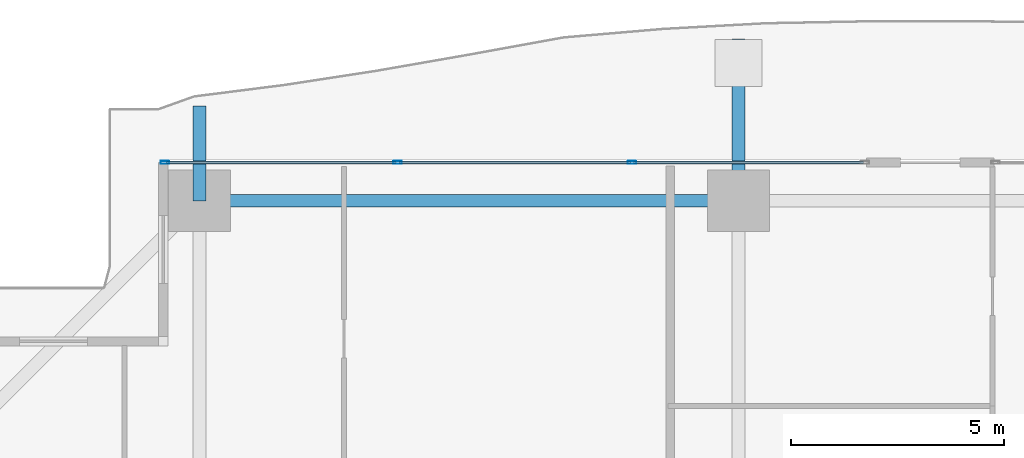
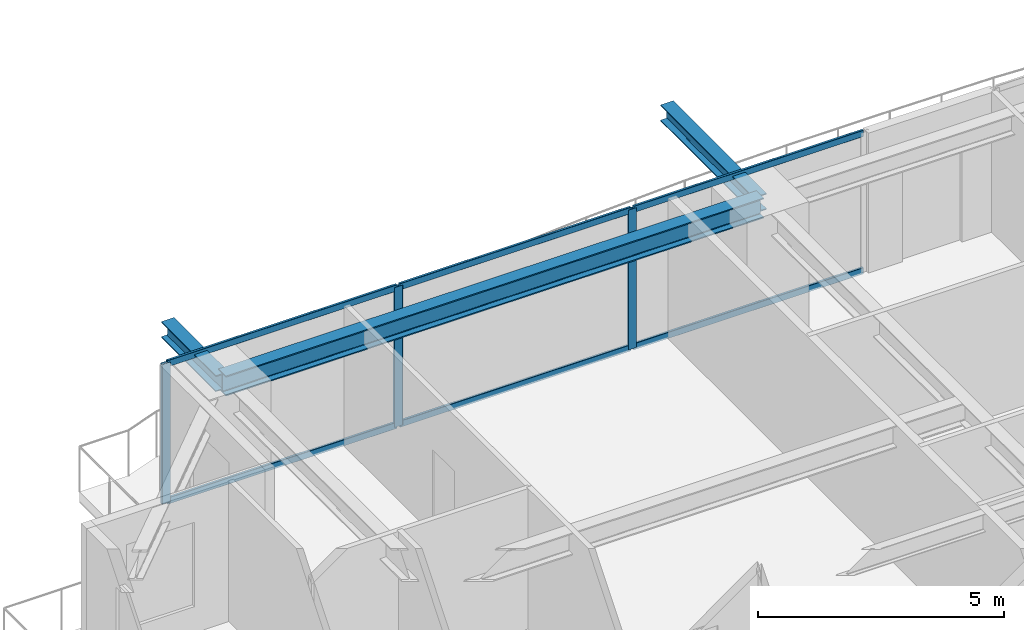
# One storey, part 20 of 37: 9 members, 3 beams, 1 element without a shape of its own.
"""IFC4 building model written with IfcOpenShell, lengths in metres."""

from ifc_helpers import new_model, si_unit, direction, frame, origin, origin_2d, place, context, subcontext, project, spatial, hollow_rectangle, i_section, extrude, source, transform, mapped, material, layer, layer_set, material_profile, profile_set, type_object, element, aggregate, save


model = new_model("IFC4")

# Units and contexts
model_context = context("Model", 3, precision=1e-05, world=origin(), true_north=direction((0.0, 1.0)))
body_context = subcontext(model_context, "Body", "Model", "MODEL_VIEW")
ifc_project = project(units=[si_unit("LENGTHUNIT", "METRE"), si_unit("AREAUNIT", "SQUARE_METRE"), si_unit("VOLUMEUNIT", "CUBIC_METRE"), si_unit("PLANEANGLEUNIT", "RADIAN"), si_unit("MASSUNIT", "GRAM", prefix="KILO")], contexts=[model_context])

# Site, building, storey
site_placement = place(None, origin())
site = spatial("IfcSite", under=ifc_project, at=site_placement, CompositionType="ELEMENT")
building_placement = place(site_placement, origin())
building = spatial("IfcBuilding", under=site, at=building_placement, Name="Serunith Strait Residences", CompositionType="ELEMENT")
storey_placement = place(building_placement, frame((0.0, 0.0, 26.699951171875)))
storey = spatial("IfcBuildingStorey", under=building, at=storey_placement, Name="L05", CompositionType="ELEMENT", Elevation=26.699951171875)

# Beams
ifc_material_1 = material(Name="Steel S355J2", Category="steel")
ifc_material_profile_1 = material_profile(ifc_material_1, i_section(OverallWidth=0.300048828125, OverallDepth=0.5, WebThickness=0.014404296875, FlangeThickness=0.028076171875, FilletRadius=0.027099609375, at=origin_2d()), Name="HEB 500")
ifc_profile_set_1 = profile_set([ifc_material_profile_1], Name="Steel S355J2")
beam_type_1 = type_object("IfcBeamType", Name="BM-HEB500", PredefinedType="BEAM", material=ifc_profile_set_1)
shared_shape_1 = source(origin(), body_context, "Body", "SweptSolid", [
    extrude(i_section(OverallWidth=0.300048828125, OverallDepth=0.5, WebThickness=0.014404296875, FlangeThickness=0.028076171875, FilletRadius=0.027099609375, at=origin_2d()), origin(), (0.0, 0.0, 1.0), 12.64990234375),
])
beam_1_placement = place(storey_placement, frame((27.89990234375, 49.300048828125, 3.237060546875), z_axis=(-1.0, 0.0, 0.0), x_axis=(0.0, -1.0, 0.0)))
element("IfcBeam", 1, at=beam_1_placement, inside=storey, type_object=beam_type_1, Name="L05 Perimeter Ring Beam 11", PredefinedType="BEAM", context=body_context, shape_type="MappedRepresentation", body=[
    mapped(shared_shape_1, transform((0.0, 0.0, 0.0), scale=1.0)),
])
ifc_material_profile_2 = material_profile(ifc_material_1, i_section(OverallWidth=0.300048828125, OverallDepth=0.39990234375, WebThickness=0.013427734375, FlangeThickness=0.02392578125, FilletRadius=0.027099609375, at=origin_2d()), Name="HEB 400")
ifc_profile_set_2 = profile_set([ifc_material_profile_2], Name="Steel S355J2")
beam_type_2 = type_object("IfcBeamType", Name="BM-HEB400", PredefinedType="BEAM", material=ifc_profile_set_2)
shared_shape_2 = source(origin(), body_context, "Body", "SweptSolid", [
    extrude(i_section(OverallWidth=0.300048828125, OverallDepth=0.39990234375, WebThickness=0.013427734375, FlangeThickness=0.02392578125, FilletRadius=0.027099609375, at=origin_2d()), origin(), (0.0, 0.0, 1.0), 2.22216796875),
])
beam_2_placement = place(storey_placement, frame((15.25, 49.300048828125, 3.257080078125), z_axis=(0.0, 1.0, 0.0), x_axis=(-1.0, 0.0, 0.0)))
element("IfcBeam", 2, at=beam_2_placement, inside=storey, type_object=beam_type_2, Name="L06 Cantilevered Balcony Rib TC-N1", PredefinedType="BEAM", context=body_context, shape_type="MappedRepresentation", body=[
    mapped(shared_shape_2, transform((0.0, 0.0, 0.0), scale=1.0)),
])
shared_shape_3 = source(origin(), body_context, "Body", "SweptSolid", [
    extrude(i_section(OverallWidth=0.300048828125, OverallDepth=0.39990234375, WebThickness=0.013427734375, FlangeThickness=0.02392578125, FilletRadius=0.027099609375, at=origin_2d()), origin(), (0.0, 0.0, 1.0), 3.800048828125),
])
beam_3_placement = place(storey_placement, frame((27.89990234375, 49.300048828125, 3.257080078125), z_axis=(0.0, 1.0, 0.0), x_axis=(-1.0, 0.0, 0.0)))
element("IfcBeam", 3, at=beam_3_placement, inside=storey, type_object=beam_type_2, Name="L06 Cantilevered Balcony Rib TC-N2", PredefinedType="BEAM", context=body_context, shape_type="MappedRepresentation", body=[
    mapped(shared_shape_3, transform((0.0, 0.0, 0.0), scale=1.0)),
])

# Curtain wall, members
ifc_material_2 = material(Name="Pale-Champagne Anodised Aluminium", Category="aluminium")
ifc_layer = layer(ifc_material_2, 0.199951171875, Name="Pale-Champagne Anodised Aluminium")
ifc_layer_set = layer_set([ifc_layer], Name="Pale-Champagne Anodised Aluminium")
curtain_wall_type = type_object("IfcCurtainWallType", Name="CW-SYS1", PredefinedType="NOTDEFINED", material=ifc_layer_set)
curtain_wall_placement = place(storey_placement, origin())
curtain_wall = element("IfcCurtainWall", 4, at=curtain_wall_placement, inside=storey, type_object=curtain_wall_type, Name="L05 N Unitised Fritted Curtain Wall", PredefinedType="NOTDEFINED")
ifc_material_profile_3 = material_profile(ifc_material_2, hollow_rectangle(XDim=0.070068359375, YDim=0.199951171875, WallThickness=0.00390625, InnerFilletRadius=0.006103515625, OuterFilletRadius=0.010009765625, at=origin_2d()), Name="ALU 200x70x4")
ifc_profile_set_3 = profile_set([ifc_material_profile_3], Name="Pale-Champagne Anodised Aluminium")
member_type_1 = type_object("IfcMemberType", Name="CW-SYS1-MULL", PredefinedType="MULLION", material=ifc_profile_set_3)
shared_shape_4 = source(origin(), body_context, "Body", "SweptSolid", [
    extrude(hollow_rectangle(XDim=0.070068359375, YDim=0.199951171875, WallThickness=0.00390625, InnerFilletRadius=0.006103515625, OuterFilletRadius=0.010009765625, at=origin_2d()), origin(), (0.0, 0.0, 1.0), 3.47509765625),
])
member_1_placement = place(storey_placement, frame((25.39990234375, 50.199951171875, 0.0), z_axis=(0.0, 0.0, 1.0), x_axis=(0.0, -1.0, 0.0)))
member_1 = element("IfcMember", 5, at=member_1_placement, type_object=member_type_1, Name="CW-1 mullion 2", PredefinedType="MULLION", context=body_context, shape_type="MappedRepresentation", body=[
    mapped(shared_shape_4, transform((0.0, 0.0, 0.0), scale=1.0)),
])
member_2_placement = place(storey_placement, frame((19.89990234375, 50.199951171875, 0.0), z_axis=(0.0, 0.0, 1.0), x_axis=(0.0, -1.0, 0.0)))
member_2 = element("IfcMember", 6, at=member_2_placement, type_object=member_type_1, Name="CW-1 mullion 3", PredefinedType="MULLION", context=body_context, shape_type="MappedRepresentation", body=[
    mapped(shared_shape_4, transform((0.0, 0.0, 0.0), scale=1.0)),
])
member_3_placement = place(storey_placement, frame((14.43505859375, 50.199951171875, 0.0), z_axis=(0.0, 0.0, 1.0), x_axis=(0.0, -1.0, 0.0)))
member_3 = element("IfcMember", 7, at=member_3_placement, type_object=member_type_1, Name="CW-1 mullion 4", PredefinedType="MULLION", context=body_context, shape_type="MappedRepresentation", body=[
    mapped(shared_shape_4, transform((0.0, 0.0, 0.0), scale=1.0)),
])
ifc_material_profile_4 = material_profile(ifc_material_2, hollow_rectangle(XDim=0.06005859375, YDim=0.159912109375, WallThickness=0.00341796875, InnerFilletRadius=0.00537109375, OuterFilletRadius=0.0087890625, at=origin_2d()), Name="ALU 160x60x3.5")
ifc_profile_set_4 = profile_set([ifc_material_profile_4], Name="Pale-Champagne Anodised Aluminium")
member_type_2 = type_object("IfcMemberType", Name="CW-SYS1-TRAN", PredefinedType="USERDEFINED", material=ifc_profile_set_4)
shared_shape_5 = source(origin(), body_context, "Body", "SweptSolid", [
    extrude(hollow_rectangle(XDim=0.06005859375, YDim=0.159912109375, WallThickness=0.00341796875, InnerFilletRadius=0.00537109375, OuterFilletRadius=0.0087890625, at=origin_2d()), origin(), (0.0, 0.0, 1.0), 5.39501953125),
])
member_4_placement = place(storey_placement, frame((30.830078125, 50.199951171875, 0.030029296875), z_axis=(-1.0, 0.0, 0.0), x_axis=(0.0, -1.0, 0.0)))
member_4 = element("IfcMember", 8, at=member_4_placement, type_object=member_type_2, Name="CW-1 transom 1.1", ObjectType="TRANSOM", PredefinedType="USERDEFINED", context=body_context, shape_type="MappedRepresentation", body=[
    mapped(shared_shape_5, transform((0.0, 0.0, 0.0), scale=1.0)),
])
member_5_placement = place(storey_placement, frame((30.830078125, 50.199951171875, 3.445068359375), z_axis=(-1.0, 0.0, 0.0), x_axis=(0.0, -1.0, 0.0)))
member_5 = element("IfcMember", 9, at=member_5_placement, type_object=member_type_2, Name="CW-1 transom 1.2", ObjectType="TRANSOM", PredefinedType="USERDEFINED", context=body_context, shape_type="MappedRepresentation", body=[
    mapped(shared_shape_5, transform((0.0, 0.0, 0.0), scale=1.0)),
])
member_6_placement = place(storey_placement, frame((19.864990234375, 50.199951171875, 0.030029296875), z_axis=(-1.0, 0.0, 0.0), x_axis=(0.0, -1.0, 0.0)))
member_6 = element("IfcMember", 10, at=member_6_placement, type_object=member_type_2, Name="CW-1 transom 3.1", ObjectType="TRANSOM", PredefinedType="USERDEFINED", context=body_context, shape_type="MappedRepresentation", body=[
    mapped(shared_shape_5, transform((0.0, 0.0, 0.0), scale=1.0)),
])
member_7_placement = place(storey_placement, frame((19.864990234375, 50.199951171875, 3.445068359375), z_axis=(-1.0, 0.0, 0.0), x_axis=(0.0, -1.0, 0.0)))
member_7 = element("IfcMember", 11, at=member_7_placement, type_object=member_type_2, Name="CW-1 transom 3.2", ObjectType="TRANSOM", PredefinedType="USERDEFINED", context=body_context, shape_type="MappedRepresentation", body=[
    mapped(shared_shape_5, transform((0.0, 0.0, 0.0), scale=1.0)),
])
shared_shape_6 = source(origin(), body_context, "Body", "SweptSolid", [
    extrude(hollow_rectangle(XDim=0.06005859375, YDim=0.159912109375, WallThickness=0.00341796875, InnerFilletRadius=0.00537109375, OuterFilletRadius=0.0087890625, at=origin_2d()), origin(), (0.0, 0.0, 1.0), 5.429931640625),
])
member_8_placement = place(storey_placement, frame((25.364990234375, 50.199951171875, 0.030029296875), z_axis=(-1.0, 0.0, 0.0), x_axis=(0.0, -1.0, 0.0)))
member_8 = element("IfcMember", 12, at=member_8_placement, type_object=member_type_2, Name="CW-1 transom 2.1", ObjectType="TRANSOM", PredefinedType="USERDEFINED", context=body_context, shape_type="MappedRepresentation", body=[
    mapped(shared_shape_6, transform((0.0, 0.0, 0.0), scale=1.0)),
])
member_9_placement = place(storey_placement, frame((25.364990234375, 50.199951171875, 3.445068359375), z_axis=(-1.0, 0.0, 0.0), x_axis=(0.0, -1.0, 0.0)))
member_9 = element("IfcMember", 13, at=member_9_placement, type_object=member_type_2, Name="CW-1 transom 2.2", ObjectType="TRANSOM", PredefinedType="USERDEFINED", context=body_context, shape_type="MappedRepresentation", body=[
    mapped(shared_shape_6, transform((0.0, 0.0, 0.0), scale=1.0)),
])
aggregate(curtain_wall, [member_1, member_2, member_3, member_4, member_5, member_8, member_9, member_6, member_7])

save(model, "model.ifc")
